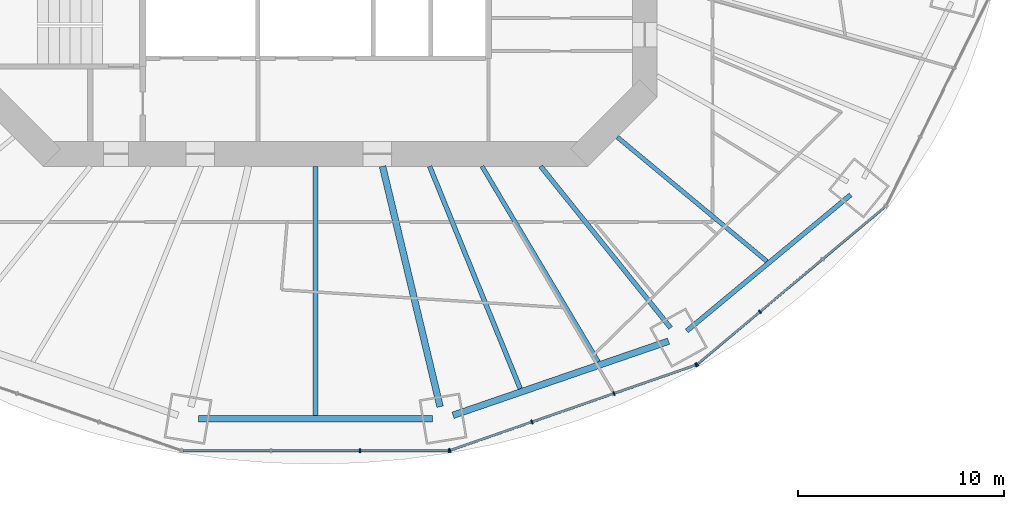
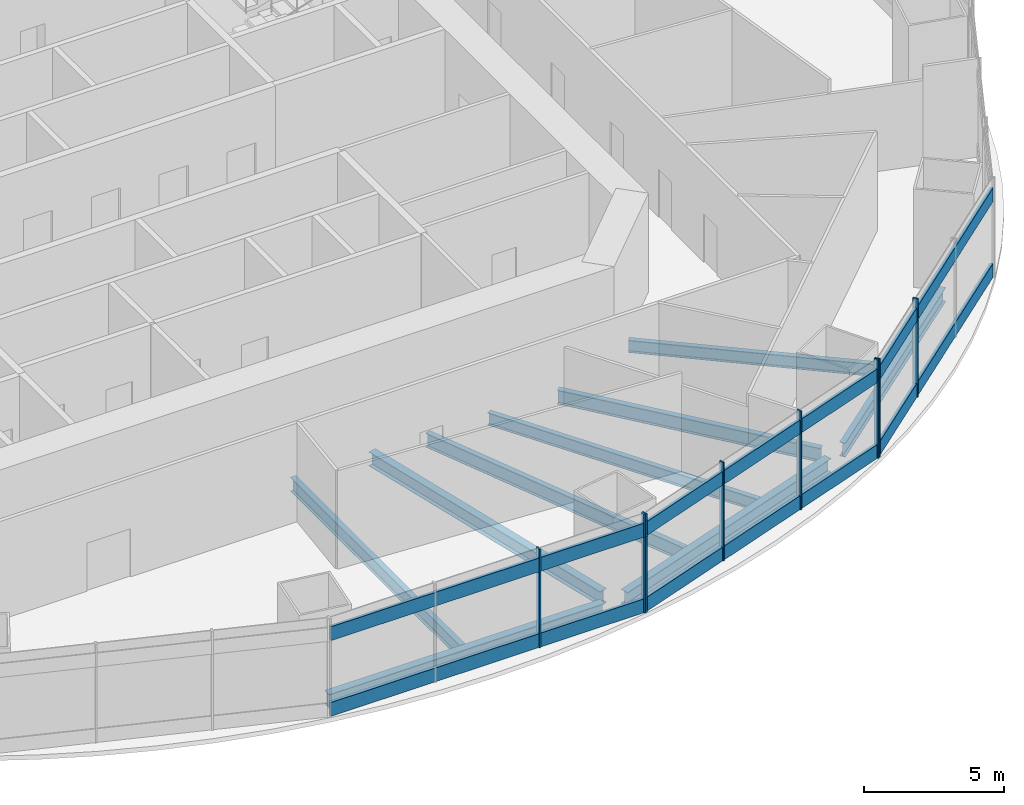
# One storey, part 4 of 17: 22 members, 9 beams, 6 elements without a shape of their own.
"""IFC4 building model written with IfcOpenShell, lengths in metres."""

from ifc_helpers import new_model, si_unit, direction, frame, origin, origin_2d, place, context, subcontext, project, spatial, rectangle, i_section, extrude, material, material_profile, profile_set, type_object, element, aggregate, save


model = new_model("IFC4")

# Units and contexts
model_context = context("Model", 3, precision=1e-05, world=origin(), true_north=direction((0.0, 1.0)))
body_context = subcontext(model_context, "Body", "Model", "MODEL_VIEW")
ifc_project = project(units=[si_unit("LENGTHUNIT", "METRE"), si_unit("AREAUNIT", "SQUARE_METRE"), si_unit("VOLUMEUNIT", "CUBIC_METRE"), si_unit("PLANEANGLEUNIT", "RADIAN"), si_unit("MASSUNIT", "GRAM", prefix="KILO")], contexts=[model_context])

# Site, building, storey
site_placement = place(None, origin())
site = spatial("IfcSite", under=ifc_project, at=site_placement, CompositionType="ELEMENT")
building_placement = place(site_placement, origin())
building = spatial("IfcBuilding", under=site, at=building_placement, Name="Marenthal Gate Tower", CompositionType="ELEMENT")
storey_placement = place(building_placement, frame((0.0, 0.0, 145.050048828125)))
storey = spatial("IfcBuildingStorey", under=building, at=storey_placement, Name="L31", CompositionType="ELEMENT", Elevation=145.050048828125)

# Curtain wall, members
ifc_material_1 = material(Name="Aluminium and glass", Category="aluminium")
curtain_wall_type_1 = type_object("IfcCurtainWallType", Name="Curtain wall amenity", PredefinedType="NOTDEFINED", material=ifc_material_1)
curtain_wall_1_placement = place(storey_placement, origin())
curtain_wall_1 = element("IfcCurtainWall", 1, at=curtain_wall_1_placement, inside=storey, type_object=curtain_wall_type_1, Name="Curtain wall L31 bay 12", PredefinedType="NOTDEFINED")
ifc_material_2 = material(Name="Aluminium", Category="aluminium")
ifc_material_profile_1 = material_profile(ifc_material_2, rectangle(XDim=0.199951171875, YDim=0.06005859375, at=origin_2d()), Name="60x200 aluminium mullion")
ifc_profile_set_1 = profile_set([ifc_material_profile_1], Name="Aluminium")
member_type_1 = type_object("IfcMemberType", Name="Mullion 60x200 amenity", PredefinedType="MULLION", material=ifc_profile_set_1)
member_1_placement = place(storey_placement, frame((2.158203125, -27.419921875, 0.0), z_axis=(0.0, 0.0, 1.0), x_axis=(0.0, 1.0, 0.0)))
member_1 = element("IfcMember", 2, at=member_1_placement, type_object=member_type_1, Name="Mullion L31 bay 12.3", PredefinedType="MULLION", context=body_context, shape_type="SweptSolid", body=[
    extrude(rectangle(XDim=0.199951171875, YDim=0.06005859375, at=origin_2d()), origin(), (0.0, 0.0, 1.0), 3.300048828125),
])
member_2_placement = place(storey_placement, frame((6.474609375, -27.419921875, 0.0), z_axis=(0.0, 0.0, 1.0), x_axis=(0.0, 1.0, 0.0)))
member_2 = element("IfcMember", 3, at=member_2_placement, type_object=member_type_1, Name="Mullion L31 bay 12.4", PredefinedType="MULLION", context=body_context, shape_type="SweptSolid", body=[
    extrude(rectangle(XDim=0.199951171875, YDim=0.06005859375, at=origin_2d()), origin(), (0.0, 0.0, 1.0), 3.300048828125),
])

curtain_wall_2_placement = place(storey_placement, origin())
curtain_wall_2 = element("IfcCurtainWall", 4, at=curtain_wall_2_placement, inside=storey, type_object=curtain_wall_type_1, Name="Curtain wall L31 bay 13", PredefinedType="NOTDEFINED")
member_3_placement = place(storey_placement, frame((6.532958984375, -27.409912109375, 0.0), z_axis=(0.0, 0.0, 1.0), x_axis=(-0.328088938475, 0.944646837951, 0.0)))
member_3 = element("IfcMember", 5, at=member_3_placement, type_object=member_type_1, Name="Mullion L31 bay 13.1", PredefinedType="MULLION", context=body_context, shape_type="SweptSolid", body=[
    extrude(rectangle(XDim=0.199951171875, YDim=0.06005859375, at=origin_2d()), origin(), (0.0, 0.0, 1.0), 3.300048828125),
])
member_4_placement = place(storey_placement, frame((10.5205078125, -26.025146484375, 0.0), z_axis=(0.0, 0.0, 1.0), x_axis=(-0.328088938475, 0.944646837951, 0.0)))
member_4 = element("IfcMember", 6, at=member_4_placement, type_object=member_type_1, Name="Mullion L31 bay 13.2", PredefinedType="MULLION", context=body_context, shape_type="SweptSolid", body=[
    extrude(rectangle(XDim=0.199951171875, YDim=0.06005859375, at=origin_2d()), origin(), (0.0, 0.0, 1.0), 3.300048828125),
])
member_5_placement = place(storey_placement, frame((14.508056640625, -24.64013671875, 0.0), z_axis=(0.0, 0.0, 1.0), x_axis=(-0.328088938475, 0.944646837951, 0.0)))
member_5 = element("IfcMember", 7, at=member_5_placement, type_object=member_type_1, Name="Mullion L31 bay 13.3", PredefinedType="MULLION", context=body_context, shape_type="SweptSolid", body=[
    extrude(rectangle(XDim=0.199951171875, YDim=0.06005859375, at=origin_2d()), origin(), (0.0, 0.0, 1.0), 3.300048828125),
])
member_6_placement = place(storey_placement, frame((18.495361328125, -23.255126953125, 0.0), z_axis=(0.0, 0.0, 1.0), x_axis=(-0.328088938475, 0.944646837951, 0.0)))
member_6 = element("IfcMember", 8, at=member_6_placement, type_object=member_type_1, Name="Mullion L31 bay 13.4", PredefinedType="MULLION", context=body_context, shape_type="SweptSolid", body=[
    extrude(rectangle(XDim=0.199951171875, YDim=0.06005859375, at=origin_2d()), origin(), (0.0, 0.0, 1.0), 3.300048828125),
])

curtain_wall_3_placement = place(storey_placement, origin())
curtain_wall_3 = element("IfcCurtainWall", 9, at=curtain_wall_3_placement, inside=storey, type_object=curtain_wall_type_1, Name="Curtain wall L31 bay 14", PredefinedType="NOTDEFINED")
member_7_placement = place(storey_placement, frame((18.546875, -23.22607421875, 0.0), z_axis=(0.0, 0.0, 1.0), x_axis=(-0.642510826857, 0.766276606305, 0.0)))
member_7 = element("IfcMember", 10, at=member_7_placement, type_object=member_type_1, Name="Mullion L31 bay 14.1", PredefinedType="MULLION", context=body_context, shape_type="SweptSolid", body=[
    extrude(rectangle(XDim=0.199951171875, YDim=0.06005859375, at=origin_2d()), origin(), (0.0, 0.0, 1.0), 3.300048828125),
])
member_8_placement = place(storey_placement, frame((21.597900390625, -20.66796875, 0.0), z_axis=(0.0, 0.0, 1.0), x_axis=(-0.642510826857, 0.766276606305, 0.0)))
member_8 = element("IfcMember", 11, at=member_8_placement, type_object=member_type_1, Name="Mullion L31 bay 14.2", PredefinedType="MULLION", context=body_context, shape_type="SweptSolid", body=[
    extrude(rectangle(XDim=0.199951171875, YDim=0.06005859375, at=origin_2d()), origin(), (0.0, 0.0, 1.0), 3.300048828125),
])

ifc_material_3 = material(Name="Aluminium and glass", Category="aluminium")
curtain_wall_type_2 = type_object("IfcCurtainWallType", Name="Curtain wall crown clad", PredefinedType="NOTDEFINED", material=ifc_material_3)
curtain_wall_4_placement = place(storey_placement, origin())
curtain_wall_4 = element("IfcCurtainWall", 12, at=curtain_wall_4_placement, inside=storey, type_object=curtain_wall_type_2, Name="Curtain wall L31 bay 12 head band", PredefinedType="NOTDEFINED")
ifc_material_4 = material(Name="Aluminium", Category="aluminium")
ifc_material_profile_2 = material_profile(ifc_material_4, rectangle(XDim=0.199951171875, YDim=0.06005859375, at=origin_2d()), Name="60x200 aluminium mullion")
ifc_profile_set_2 = profile_set([ifc_material_profile_2], Name="Aluminium")
member_type_2 = type_object("IfcMemberType", Name="Mullion 60x200 crown clad", PredefinedType="MULLION", material=ifc_profile_set_2)
member_9_placement = place(storey_placement, frame((2.158203125, -27.419921875, 3.300048828125), z_axis=(0.0, 0.0, 1.0), x_axis=(0.0, 1.0, 0.0)))
member_9 = element("IfcMember", 13, at=member_9_placement, type_object=member_type_2, Name="Mullion L31 bay 12.3", PredefinedType="MULLION", context=body_context, shape_type="SweptSolid", body=[
    extrude(rectangle(XDim=0.199951171875, YDim=0.06005859375, at=origin_2d()), origin(), (0.0, 0.0, 1.0), 1.0),
])
member_10_placement = place(storey_placement, frame((6.474609375, -27.419921875, 3.300048828125), z_axis=(0.0, 0.0, 1.0), x_axis=(0.0, 1.0, 0.0)))
member_10 = element("IfcMember", 14, at=member_10_placement, type_object=member_type_2, Name="Mullion L31 bay 12.4", PredefinedType="MULLION", context=body_context, shape_type="SweptSolid", body=[
    extrude(rectangle(XDim=0.199951171875, YDim=0.06005859375, at=origin_2d()), origin(), (0.0, 0.0, 1.0), 1.0),
])

curtain_wall_5_placement = place(storey_placement, origin())
curtain_wall_5 = element("IfcCurtainWall", 15, at=curtain_wall_5_placement, inside=storey, type_object=curtain_wall_type_2, Name="Curtain wall L31 bay 13 head band", PredefinedType="NOTDEFINED")
member_11_placement = place(storey_placement, frame((6.532958984375, -27.409912109375, 3.300048828125), z_axis=(0.0, 0.0, 1.0), x_axis=(-0.328088938475, 0.944646837951, 0.0)))
member_11 = element("IfcMember", 16, at=member_11_placement, type_object=member_type_2, Name="Mullion L31 bay 13.1", PredefinedType="MULLION", context=body_context, shape_type="SweptSolid", body=[
    extrude(rectangle(XDim=0.199951171875, YDim=0.06005859375, at=origin_2d()), origin(), (0.0, 0.0, 1.0), 1.0),
])
member_12_placement = place(storey_placement, frame((10.5205078125, -26.025146484375, 3.300048828125), z_axis=(0.0, 0.0, 1.0), x_axis=(-0.328088938475, 0.944646837951, 0.0)))
member_12 = element("IfcMember", 17, at=member_12_placement, type_object=member_type_2, Name="Mullion L31 bay 13.2", PredefinedType="MULLION", context=body_context, shape_type="SweptSolid", body=[
    extrude(rectangle(XDim=0.199951171875, YDim=0.06005859375, at=origin_2d()), origin(), (0.0, 0.0, 1.0), 1.0),
])
member_13_placement = place(storey_placement, frame((14.508056640625, -24.64013671875, 3.300048828125), z_axis=(0.0, 0.0, 1.0), x_axis=(-0.328088938475, 0.944646837951, 0.0)))
member_13 = element("IfcMember", 18, at=member_13_placement, type_object=member_type_2, Name="Mullion L31 bay 13.3", PredefinedType="MULLION", context=body_context, shape_type="SweptSolid", body=[
    extrude(rectangle(XDim=0.199951171875, YDim=0.06005859375, at=origin_2d()), origin(), (0.0, 0.0, 1.0), 1.0),
])
member_14_placement = place(storey_placement, frame((18.495361328125, -23.255126953125, 3.300048828125), z_axis=(0.0, 0.0, 1.0), x_axis=(-0.328088938475, 0.944646837951, 0.0)))
member_14 = element("IfcMember", 19, at=member_14_placement, type_object=member_type_2, Name="Mullion L31 bay 13.4", PredefinedType="MULLION", context=body_context, shape_type="SweptSolid", body=[
    extrude(rectangle(XDim=0.199951171875, YDim=0.06005859375, at=origin_2d()), origin(), (0.0, 0.0, 1.0), 1.0),
])

curtain_wall_6_placement = place(storey_placement, origin())
curtain_wall_6 = element("IfcCurtainWall", 20, at=curtain_wall_6_placement, inside=storey, type_object=curtain_wall_type_2, Name="Curtain wall L31 bay 14 head band", PredefinedType="NOTDEFINED")
member_15_placement = place(storey_placement, frame((18.546875, -23.22607421875, 3.300048828125), z_axis=(0.0, 0.0, 1.0), x_axis=(-0.642510826857, 0.766276606305, 0.0)))
member_15 = element("IfcMember", 21, at=member_15_placement, type_object=member_type_2, Name="Mullion L31 bay 14.1", PredefinedType="MULLION", context=body_context, shape_type="SweptSolid", body=[
    extrude(rectangle(XDim=0.199951171875, YDim=0.06005859375, at=origin_2d()), origin(), (0.0, 0.0, 1.0), 1.0),
])
member_16_placement = place(storey_placement, frame((21.597900390625, -20.66796875, 3.300048828125), z_axis=(0.0, 0.0, 1.0), x_axis=(-0.642510826857, 0.766276606305, 0.0)))
member_16 = element("IfcMember", 22, at=member_16_placement, type_object=member_type_2, Name="Mullion L31 bay 14.2", PredefinedType="MULLION", context=body_context, shape_type="SweptSolid", body=[
    extrude(rectangle(XDim=0.199951171875, YDim=0.06005859375, at=origin_2d()), origin(), (0.0, 0.0, 1.0), 1.0),
])

# Member
ifc_material_5 = material(Name="Aluminium", Category="aluminium")
ifc_material_profile_3 = material_profile(ifc_material_5, rectangle(XDim=0.1201171875, YDim=0.60009765625, at=origin_2d()), Name="120x600 aluminium transom")
ifc_profile_set_3 = profile_set([ifc_material_profile_3], Name="Aluminium")
member_type_3 = type_object("IfcMemberType", Name="Transom 120x600 amenity", PredefinedType="USERDEFINED", material=ifc_profile_set_3)
member_17_placement = place(storey_placement, frame((-6.444580078125, -27.419921875, 0.300048828125), z_axis=(1.0, 0.0, 0.0), x_axis=(0.0, 1.0, 0.0)))
member_17 = element("IfcMember", 23, at=member_17_placement, type_object=member_type_3, Name="Transom L31 bay 12", ObjectType="TRANSOM", PredefinedType="USERDEFINED", context=body_context, shape_type="SweptSolid", body=[
    extrude(rectangle(XDim=0.1201171875, YDim=0.60009765625, at=origin_2d()), origin(), (0.0, 0.0, 1.0), 12.88916015625),
])

aggregate(curtain_wall_1, [member_1, member_2, member_17])

member_18_placement = place(storey_placement, frame((6.561279296875, -27.400146484375, 0.300048828125), z_axis=(0.944647484164, 0.328087077867, 0.0), x_axis=(-0.328087077867, 0.944647484164, 0.0)))
member_18 = element("IfcMember", 24, at=member_18_placement, type_object=member_type_3, Name="Transom L31 bay 13", ObjectType="TRANSOM", PredefinedType="USERDEFINED", context=body_context, shape_type="SweptSolid", body=[
    extrude(rectangle(XDim=0.1201171875, YDim=0.60009765625, at=origin_2d()), origin(), (0.0, 0.0, 1.0), 12.603271484375),
])

aggregate(curtain_wall_2, [member_3, member_4, member_5, member_6, member_18])

member_19_placement = place(storey_placement, frame((18.56982421875, -23.206787109375, 0.300048828125), z_axis=(0.76627636454, 0.642511115194, 0.0), x_axis=(-0.642511115194, 0.76627636454, 0.0)))
member_19 = element("IfcMember", 25, at=member_19_placement, type_object=member_type_3, Name="Transom L31 bay 14", ObjectType="TRANSOM", PredefinedType="USERDEFINED", context=body_context, shape_type="SweptSolid", body=[
    extrude(rectangle(XDim=0.1201171875, YDim=0.60009765625, at=origin_2d()), origin(), (0.0, 0.0, 1.0), 11.885009765625),
])

aggregate(curtain_wall_3, [member_7, member_8, member_19])

ifc_material_6 = material(Name="Aluminium", Category="aluminium")
ifc_material_profile_4 = material_profile(ifc_material_6, rectangle(XDim=0.1201171875, YDim=0.60009765625, at=origin_2d()), Name="120x600 aluminium transom")
ifc_profile_set_4 = profile_set([ifc_material_profile_4], Name="Aluminium")
member_type_4 = type_object("IfcMemberType", Name="Transom 120x600 crown clad", PredefinedType="USERDEFINED", material=ifc_profile_set_4)
member_20_placement = place(storey_placement, frame((-6.444580078125, -27.419921875, 3.599853515625), z_axis=(1.0, 0.0, 0.0), x_axis=(0.0, 1.0, 0.0)))
member_20 = element("IfcMember", 26, at=member_20_placement, type_object=member_type_4, Name="Transom L31 bay 12", ObjectType="TRANSOM", PredefinedType="USERDEFINED", context=body_context, shape_type="SweptSolid", body=[
    extrude(rectangle(XDim=0.1201171875, YDim=0.60009765625, at=origin_2d()), origin(), (0.0, 0.0, 1.0), 12.88916015625),
])

aggregate(curtain_wall_4, [member_9, member_10, member_20])

member_21_placement = place(storey_placement, frame((6.561279296875, -27.400146484375, 3.599853515625), z_axis=(0.944647484164, 0.328087077867, 0.0), x_axis=(-0.328087077867, 0.944647484164, 0.0)))
member_21 = element("IfcMember", 27, at=member_21_placement, type_object=member_type_4, Name="Transom L31 bay 13", ObjectType="TRANSOM", PredefinedType="USERDEFINED", context=body_context, shape_type="SweptSolid", body=[
    extrude(rectangle(XDim=0.1201171875, YDim=0.60009765625, at=origin_2d()), origin(), (0.0, 0.0, 1.0), 12.603271484375),
])

aggregate(curtain_wall_5, [member_11, member_12, member_13, member_14, member_21])

member_22_placement = place(storey_placement, frame((18.56982421875, -23.206787109375, 3.599853515625), z_axis=(0.76627636454, 0.642511115194, 0.0), x_axis=(-0.642511115194, 0.76627636454, 0.0)))
member_22 = element("IfcMember", 28, at=member_22_placement, type_object=member_type_4, Name="Transom L31 bay 14", ObjectType="TRANSOM", PredefinedType="USERDEFINED", context=body_context, shape_type="SweptSolid", body=[
    extrude(rectangle(XDim=0.1201171875, YDim=0.60009765625, at=origin_2d()), origin(), (0.0, 0.0, 1.0), 11.885009765625),
])

aggregate(curtain_wall_6, [member_15, member_16, member_22])

# Beams
ifc_material_7 = material(Name="Steel S355", Category="steel")
ifc_material_profile_5 = material_profile(ifc_material_7, i_section(OverallWidth=0.2099609375, OverallDepth=0.535888671875, WebThickness=0.010986328125, FlangeThickness=0.017333984375, FilletRadius=0.0126953125, at=origin_2d()), Name="W530X101")
ifc_profile_set_5 = profile_set([ifc_material_profile_5], Name="Steel S355")
beam_type_1 = type_object("IfcBeamType", Name="W530X101 beam", PredefinedType="BEAM", material=ifc_profile_set_5)
beam_1_placement = place(storey_placement, frame((21.93798828125, -18.218505859375, -0.468017578125), z_axis=(-0.769321242726, 0.638862133399, 0.0), x_axis=(-0.638862133399, -0.769321242726, 0.0)))
element("IfcBeam", 29, at=beam_1_placement, inside=storey, type_object=beam_type_1, Name="BM-L31-37", PredefinedType="BEAM", context=body_context, shape_type="SweptSolid", body=[
    extrude(i_section(OverallWidth=0.2099609375, OverallDepth=0.535888671875, WebThickness=0.010986328125, FlangeThickness=0.017333984375, FilletRadius=0.0126953125, at=origin_2d()), origin(), (0.0, 0.0, 1.0), 9.450439453125),
])
ifc_material_8 = material(Name="Steel S355", Category="steel")
ifc_material_profile_6 = material_profile(ifc_material_8, i_section(OverallWidth=0.2119140625, OverallDepth=0.5439453125, WebThickness=0.01318359375, FlangeThickness=0.021240234375, FilletRadius=0.0126953125, at=origin_2d()), Name="W530X123")
ifc_profile_set_6 = profile_set([ifc_material_profile_6], Name="Steel S355")
beam_type_2 = type_object("IfcBeamType", Name="W530X123 beam", PredefinedType="BEAM", material=ifc_profile_set_6)
beam_2_placement = place(storey_placement, frame((13.74462890625, -23.101806640625, -0.47216796875), z_axis=(-0.511319639354, 0.859390613406, 0.0), x_axis=(-0.859390613406, -0.511319639354, 0.0)))
element("IfcBeam", 30, at=beam_2_placement, inside=storey, type_object=beam_type_2, Name="BM-L31-36", PredefinedType="BEAM", context=body_context, shape_type="SweptSolid", body=[
    extrude(i_section(OverallWidth=0.2119140625, OverallDepth=0.5439453125, WebThickness=0.01318359375, FlangeThickness=0.021240234375, FilletRadius=0.0126953125, at=origin_2d()), origin(), (0.0, 0.0, 1.0), 11.056396484375),
])
ifc_material_9 = material(Name="Steel S355", Category="steel")
ifc_material_profile_7 = material_profile(ifc_material_9, i_section(OverallWidth=0.22900390625, OverallDepth=0.612060546875, WebThickness=0.011962890625, FlangeThickness=0.01953125, FilletRadius=0.0126953125, at=origin_2d()), Name="W610X125")
ifc_profile_set_7 = profile_set([ifc_material_profile_7], Name="Steel S355")
beam_type_3 = type_object("IfcBeamType", Name="W610X125 beam", PredefinedType="BEAM", material=ifc_profile_set_7)
beam_3_placement = place(storey_placement, frame((17.259521484375, -21.45166015625, -0.506103515625), z_axis=(-0.6268641657, 0.77912856305, 0.0), x_axis=(-0.77912856305, -0.6268641657, 0.0)))
element("IfcBeam", 31, at=beam_3_placement, inside=storey, type_object=beam_type_3, Name="BM-L31-14", PredefinedType="BEAM", context=body_context, shape_type="SweptSolid", body=[
    extrude(i_section(OverallWidth=0.22900390625, OverallDepth=0.612060546875, WebThickness=0.011962890625, FlangeThickness=0.01953125, FilletRadius=0.0126953125, at=origin_2d()), origin(), (0.0, 0.0, 1.0), 10.077392578125),
])
beam_4_placement = place(storey_placement, frame((0.0, -25.707763671875, -0.506103515625), z_axis=(0.0, 1.0, 0.0), x_axis=(-1.0, 0.0, 0.0)))
element("IfcBeam", 32, at=beam_4_placement, inside=storey, type_object=beam_type_3, Name="BM-L31-34", PredefinedType="BEAM", context=body_context, shape_type="SweptSolid", body=[
    extrude(i_section(OverallWidth=0.22900390625, OverallDepth=0.612060546875, WebThickness=0.011962890625, FlangeThickness=0.01953125, FilletRadius=0.0126953125, at=origin_2d()), origin(), (0.0, 0.0, 1.0), 12.107666015625),
])
beam_5_placement = place(storey_placement, frame((9.951416015625, -24.406494140625, -0.506103515625), z_axis=(-0.377546734529, 0.925990530862, 0.0), x_axis=(-0.925990530862, -0.377546734529, 0.0)))
element("IfcBeam", 33, at=beam_5_placement, inside=storey, type_object=beam_type_3, Name="BM-L31-35", PredefinedType="BEAM", context=body_context, shape_type="SweptSolid", body=[
    extrude(i_section(OverallWidth=0.22900390625, OverallDepth=0.612060546875, WebThickness=0.011962890625, FlangeThickness=0.01953125, FilletRadius=0.0126953125, at=origin_2d()), origin(), (0.0, 0.0, 1.0), 11.670166015625),
])
beam_6_placement = place(storey_placement, frame((18.044189453125, -21.60107421875, -0.506103515625), z_axis=(0.769308410826, 0.638877585326, 0.0), x_axis=(-0.638877585326, 0.769308410826, 0.0)))
element("IfcBeam", 34, at=beam_6_placement, inside=storey, type_object=beam_type_3, Name="BM-L31-54", PredefinedType="BEAM", context=body_context, shape_type="SweptSolid", body=[
    extrude(i_section(OverallWidth=0.22900390625, OverallDepth=0.612060546875, WebThickness=0.011962890625, FlangeThickness=0.01953125, FilletRadius=0.0126953125, at=origin_2d()), origin(), (0.0, 0.0, 1.0), 10.35302734375),
])
ifc_material_10 = material(Name="Steel S355", Category="steel")
ifc_material_profile_8 = material_profile(ifc_material_10, i_section(OverallWidth=0.324951171875, OverallDepth=0.612060546875, WebThickness=0.0126953125, FlangeThickness=0.01904296875, FilletRadius=0.0126953125, at=origin_2d()), Name="W610X155")
ifc_profile_set_8 = profile_set([ifc_material_profile_8], Name="Steel S355")
beam_type_4 = type_object("IfcBeamType", Name="W610X155 beam", PredefinedType="BEAM", material=ifc_profile_set_8)
beam_7_placement = place(storey_placement, frame((6.05615234375, -25.283935546875, -0.506103515625), z_axis=(-0.232937154271, 0.972491790279, 0.0), x_axis=(-0.972491790279, -0.232937154271, 0.0)))
element("IfcBeam", 35, at=beam_7_placement, inside=storey, type_object=beam_type_4, Name="BM-L31-13", PredefinedType="BEAM", context=body_context, shape_type="SweptSolid", body=[
    extrude(i_section(OverallWidth=0.324951171875, OverallDepth=0.612060546875, WebThickness=0.0126953125, FlangeThickness=0.01904296875, FilletRadius=0.0126953125, at=origin_2d()), origin(), (0.0, 0.0, 1.0), 12.014404296875),
])
beam_8_placement = place(storey_placement, frame((-5.682861328125, -25.8701171875, -0.506103515625), z_axis=(1.0, 0.0, 0.0), x_axis=(0.0, 1.0, 0.0)))
element("IfcBeam", 36, at=beam_8_placement, inside=storey, type_object=beam_type_4, Name="BM-L31-52", PredefinedType="BEAM", context=body_context, shape_type="SweptSolid", body=[
    extrude(i_section(OverallWidth=0.324951171875, OverallDepth=0.612060546875, WebThickness=0.0126953125, FlangeThickness=0.01904296875, FilletRadius=0.0126953125, at=origin_2d()), origin(), (0.0, 0.0, 1.0), 11.36572265625),
])
beam_9_placement = place(storey_placement, frame((6.682861328125, -25.702880859375, -0.506103515625), z_axis=(0.945616285836, 0.325284244871, 0.0), x_axis=(-0.325284244871, 0.945616285836, 0.0)))
element("IfcBeam", 37, at=beam_9_placement, inside=storey, type_object=beam_type_4, Name="BM-L31-53", PredefinedType="BEAM", context=body_context, shape_type="SweptSolid", body=[
    extrude(i_section(OverallWidth=0.324951171875, OverallDepth=0.612060546875, WebThickness=0.0126953125, FlangeThickness=0.01904296875, FilletRadius=0.0126953125, at=origin_2d()), origin(), (0.0, 0.0, 1.0), 11.078125),
])

save(model, "model.ifc")
